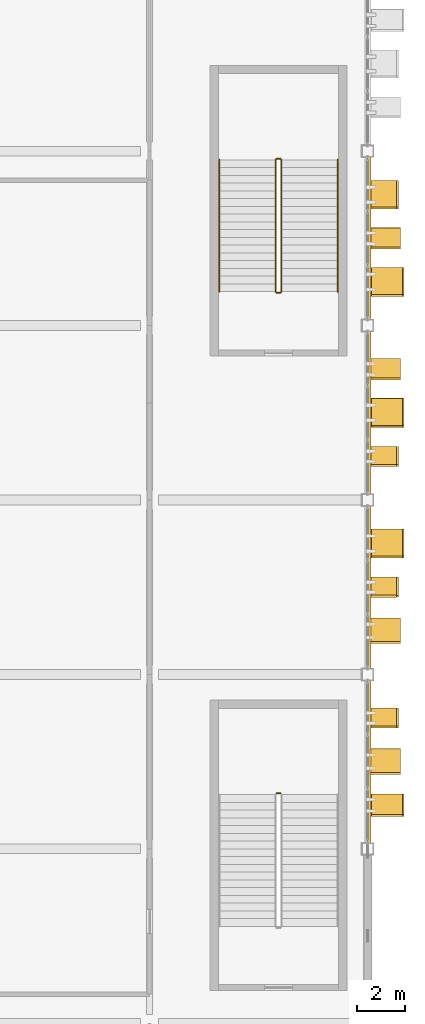
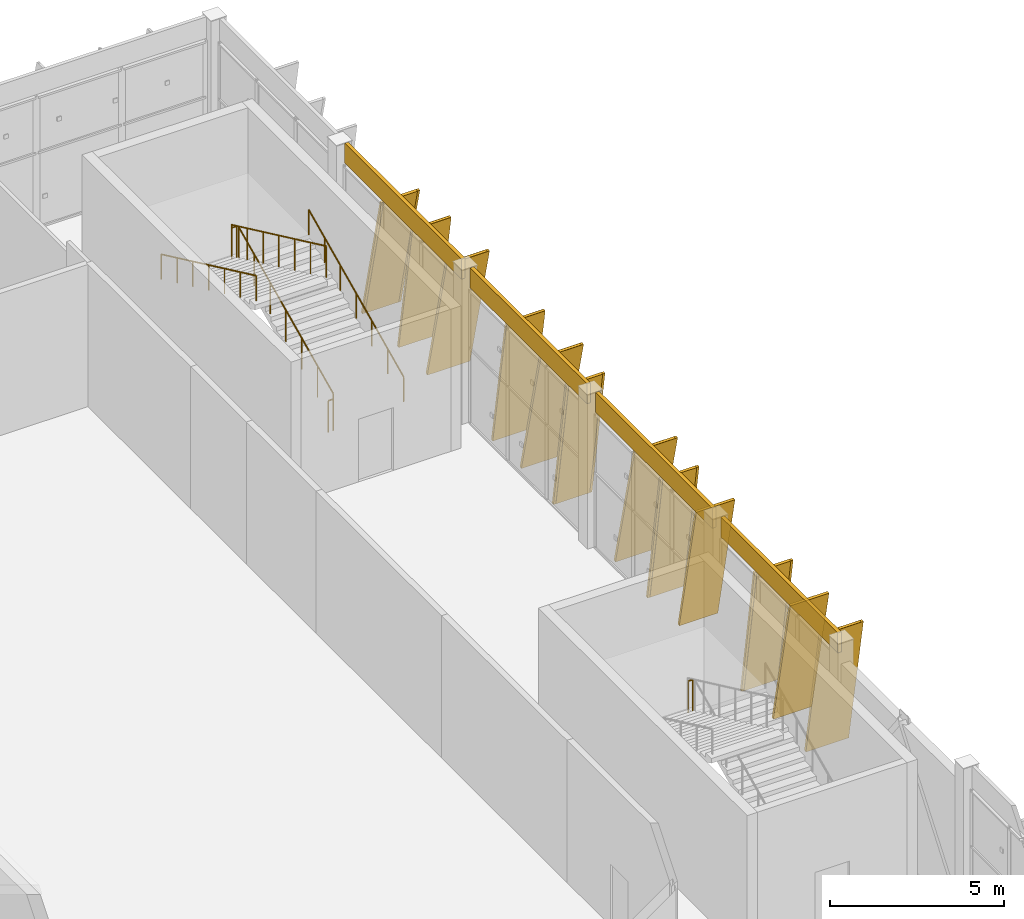
# One storey, part 188 of 189: 16 coverings, 12 shading devices, 7 railings.
"""IFC4 building model written with IfcOpenShell, lengths in metres."""

from ifc_helpers import new_model, si_unit, direction, frame, origin, origin_2d, place, context, subcontext, project, spatial, rectangle, circle, extrude, material, layer, layer_set, material_profile, profile_set, type_object, element, save


model = new_model("IFC4")

# Units and contexts
model_context = context("Model", 3, precision=1e-05, world=origin(), true_north=direction((0.0, 1.0)))
body_context = subcontext(model_context, "Body", "Model", "MODEL_VIEW")
ifc_project = project(units=[si_unit("LENGTHUNIT", "METRE"), si_unit("AREAUNIT", "SQUARE_METRE"), si_unit("VOLUMEUNIT", "CUBIC_METRE"), si_unit("PLANEANGLEUNIT", "RADIAN"), si_unit("MASSUNIT", "GRAM", prefix="KILO")], contexts=[model_context])

# Site, building, storey
site_placement = place(None, origin())
site = spatial("IfcSite", under=ifc_project, at=site_placement, CompositionType="ELEMENT")
building_placement = place(site_placement, origin())
building = spatial("IfcBuilding", under=site, at=building_placement, Name="Celestram Park Convention Centre", CompositionType="ELEMENT")
storey_placement = place(building_placement, frame((0.0, 0.0, 5.39990234375)))
storey = spatial("IfcBuildingStorey", under=building, at=storey_placement, Name="L01", CompositionType="ELEMENT", Elevation=5.39990234375)

# Coverings
ifc_material_1 = material(Name="Anodised Bronze Aluminium Spandrel Cladding", Category="aluminium")
ifc_layer_1 = layer(ifc_material_1, 0.050048828125)
ifc_layer_set_1 = layer_set([ifc_layer_1], Name="Anodised Bronze Aluminium Spandrel Cladding")
covering_type_1 = type_object("IfcCoveringType", Name="ARC-COV-CLD060", PredefinedType="CLADDING", material=ifc_layer_set_1)
for number, where, z_axis, x_axis, name in (
    (1, (216.080078125, 154.800048828125, 4.7001953125), (0.0, 0.0, 1.0), (0.0, -1.0, 0.0), "Bronze spandrel cladding CL-L01-076"),
    (2, (216.080078125, 147.60009765625, 4.7001953125), (0.0, 0.0, 1.0), (0.0, -1.0, 0.0), "Bronze spandrel cladding CL-L01-077"),
    (3, (216.080078125, 140.39990234375, 4.7001953125), (0.0, 0.0, 1.0), (0.0, -1.0, 0.0), "Bronze spandrel cladding CL-L01-078"),
    (4, (216.080078125, 133.199951171875, 4.7001953125), (0.0, 0.0, 1.0), (0.0, -1.0, 0.0), "Bronze spandrel cladding CL-L01-079"),
):
    element("IfcCovering", number, at=place(storey_placement, frame(where, z_axis=z_axis, x_axis=x_axis)), inside=storey, type_object=covering_type_1, Name=name, PredefinedType="CLADDING", context=body_context, shape_type="SweptSolid", body=[
        extrude(rectangle(XDim=6.7041015625, YDim=0.1201171875, at=origin_2d()), origin(), (0.0, 0.0, 1.0), 0.699951171875),
    ])
ifc_material_2 = material(Name="Timber-Toned Anodised Aluminium Alloy 6063-T6", Category="wood")
ifc_material_profile_1 = material_profile(ifc_material_2, rectangle(XDim=1.1201171875, YDim=0.090087890625, at=origin_2d()), Name="REED1120X90")
ifc_profile_set_1 = profile_set([ifc_material_profile_1], Name="Timber-Toned Anodised Aluminium Alloy 6063-T6")
covering_type_2 = type_object("IfcCoveringType", Name="ARC-COV-FIN1120", PredefinedType="CLADDING", material=ifc_profile_set_1)
covering_placement = place(storey_placement, frame((216.639892578125, 157.14111328125, 0.068603515625), z_axis=(0.0, -0.231745385191, 0.97277647815), x_axis=(1.0, 0.0, 0.0)))
element("IfcCovering", 5, at=covering_placement, inside=storey, type_object=covering_type_2, Name="Leaning timber-toned reed fin RFN-L01-0223", PredefinedType="CLADDING", context=body_context, shape_type="SweptSolid", body=[
    extrude(rectangle(XDim=1.1201171875, YDim=0.090087890625, at=origin_2d()), origin(), (0.0, 0.0, 1.0), 4.670166015625),
])
for number, where, z_axis, x_axis, name in (
    (6, (216.639892578125, 146.17333984375, 0.03515625), (0.0, -0.159870149635, 0.987138052785), (1.0, 0.0, 0.0), "Leaning timber-toned reed fin RFN-L01-0228"),
    (7, (216.639892578125, 140.773193359375, 0.03515625), (0.0, -0.159870149635, 0.987138052785), (1.0, 0.0, 0.0), "Leaning timber-toned reed fin RFN-L01-0230"),
    (8, (216.639892578125, 135.373291015625, 0.03515625), (0.0, -0.159870149635, 0.987138052785), (1.0, 0.0, 0.0), "Leaning timber-toned reed fin RFN-L01-0232"),
):
    element("IfcCovering", number, at=place(storey_placement, frame(where, z_axis=z_axis, x_axis=x_axis)), inside=storey, type_object=covering_type_2, Name=name, PredefinedType="CLADDING", context=body_context, shape_type="SweptSolid", body=[
        extrude(rectangle(XDim=1.1201171875, YDim=0.090087890625, at=origin_2d()), origin(), (0.0, 0.0, 1.0), 4.669921875),
    ])
ifc_material_profile_2 = material_profile(ifc_material_2, rectangle(XDim=1.280029296875, YDim=0.090087890625, at=origin_2d()), Name="REED1280X90")
ifc_profile_set_2 = profile_set([ifc_material_profile_2], Name="Timber-Toned Anodised Aluminium Alloy 6063-T6")
covering_type_3 = type_object("IfcCoveringType", Name="ARC-COV-FIN1280", PredefinedType="CLADDING", material=ifc_profile_set_2)
for number, where, z_axis, x_axis, name in (
    (9, (216.719970703125, 155.197509765625, 0.039306640625), (0.0, -0.17022027981, 0.985406036282), (1.0, 0.0, 0.0), "Leaning timber-toned reed fin RFN-L01-0224"),
    (10, (216.719970703125, 149.79736328125, 0.039306640625), (0.0, -0.170169514956, 0.98541480412), (1.0, 0.0, 0.0), "Leaning timber-toned reed fin RFN-L01-0226"),
):
    element("IfcCovering", number, at=place(storey_placement, frame(where, z_axis=z_axis, x_axis=x_axis)), inside=storey, type_object=covering_type_3, Name=name, PredefinedType="CLADDING", context=body_context, shape_type="SweptSolid", body=[
        extrude(rectangle(XDim=1.280029296875, YDim=0.090087890625, at=origin_2d()), origin(), (0.0, 0.0, 1.0), 4.669921875),
    ])
for number, where, z_axis, x_axis, name in (
    (11, (216.719970703125, 139.089599609375, 0.056884765625), (0.0, -0.20962905064, 0.977780988324), (1.0, 0.0, 0.0), "Leaning timber-toned reed fin RFN-L01-0231"),
    (12, (216.719970703125, 133.689453125, 0.056884765625), (0.0, -0.20962905064, 0.977780988324), (1.0, 0.0, 0.0), "Leaning timber-toned reed fin RFN-L01-0233"),
):
    element("IfcCovering", number, at=place(storey_placement, frame(where, z_axis=z_axis, x_axis=x_axis)), inside=storey, type_object=covering_type_3, Name=name, PredefinedType="CLADDING", context=body_context, shape_type="SweptSolid", body=[
        extrude(rectangle(XDim=1.280029296875, YDim=0.090087890625, at=origin_2d()), origin(), (0.0, 0.0, 1.0), 4.670166015625),
    ])
ifc_material_profile_3 = material_profile(ifc_material_2, rectangle(XDim=1.419921875, YDim=0.090087890625, at=origin_2d()), Name="REED1420X90")
ifc_profile_set_3 = profile_set([ifc_material_profile_3], Name="Timber-Toned Anodised Aluminium Alloy 6063-T6")
covering_type_4 = type_object("IfcCoveringType", Name="ARC-COV-FIN1420", PredefinedType="CLADDING", material=ifc_profile_set_3)
for number, where, z_axis, x_axis, name in (
    (13, (216.7900390625, 153.556884765625, 0.072509765625), (0.0, -0.238498785184, 0.97114279561), (1.0, 0.0, 0.0), "Leaning timber-toned reed fin RFN-L01-0225"),
    (14, (216.7900390625, 148.156982421875, 0.072509765625), (0.0, -0.238548089956, 0.971130685736), (1.0, 0.0, 0.0), "Leaning timber-toned reed fin RFN-L01-0227"),
    (15, (216.7900390625, 142.757080078125, 0.072509765625), (0.0, -0.238548089956, 0.971130685736), (1.0, 0.0, 0.0), "Leaning timber-toned reed fin RFN-L01-0229"),
    (16, (216.7900390625, 131.821533203125, 0.04345703125), (0.0, -0.180518378579, 0.983571611524), (1.0, 0.0, 0.0), "Leaning timber-toned reed fin RFN-L01-0234"),
):
    element("IfcCovering", number, at=place(storey_placement, frame(where, z_axis=z_axis, x_axis=x_axis)), inside=storey, type_object=covering_type_4, Name=name, PredefinedType="CLADDING", context=body_context, shape_type="SweptSolid", body=[
        extrude(rectangle(XDim=1.419921875, YDim=0.090087890625, at=origin_2d()), origin(), (0.0, 0.0, 1.0), 4.669921875),
    ])

# Shading devices
ifc_material_3 = material(Name="Anodised Bronze Aluminium Alloy 6063-T6", Category="aluminium")
ifc_material_profile_4 = material_profile(ifc_material_3, rectangle(XDim=1.280029296875, YDim=0.080078125, at=origin_2d()), Name="FIN1280X80")
ifc_profile_set_4 = profile_set([ifc_material_profile_4], Name="Anodised Bronze Aluminium Alloy 6063-T6")
shading_device_type = type_object("IfcShadingDeviceType", Name="ARC-FIN-BZ1280", PredefinedType="USERDEFINED", material=ifc_profile_set_4)
shading_device_1_placement = place(storey_placement, frame((216.639892578125, 157.14111328125, 0.068603515625), z_axis=(0.0, -0.231745385191, 0.97277647815), x_axis=(1.0, 0.0, 0.0)))
element("IfcShadingDevice", 17, at=shading_device_1_placement, inside=storey, type_object=shading_device_type, Name="Expressive solar fin FN-L01-0223", ObjectType="SOLAR_FIN", PredefinedType="USERDEFINED", context=body_context, shape_type="SweptSolid", body=[
    extrude(rectangle(XDim=1.280029296875, YDim=0.080078125, at=origin_2d()), origin(), (0.0, 0.0, 1.0), 4.670166015625),
])
for number, where, z_axis, x_axis, name in (
    (18, (216.719970703125, 155.197509765625, 0.039306640625), (0.0, -0.17022027981, 0.985406036282), (1.0, 0.0, 0.0), "Expressive solar fin FN-L01-0224"),
    (19, (216.7900390625, 153.556884765625, 0.072509765625), (0.0, -0.238498785184, 0.97114279561), (1.0, 0.0, 0.0), "Expressive solar fin FN-L01-0225"),
    (20, (216.719970703125, 149.79736328125, 0.039306640625), (0.0, -0.170169514956, 0.98541480412), (1.0, 0.0, 0.0), "Expressive solar fin FN-L01-0226"),
    (21, (216.7900390625, 148.156982421875, 0.072509765625), (0.0, -0.238548089956, 0.971130685736), (1.0, 0.0, 0.0), "Expressive solar fin FN-L01-0227"),
    (22, (216.639892578125, 146.17333984375, 0.03515625), (0.0, -0.159870149635, 0.987138052785), (1.0, 0.0, 0.0), "Expressive solar fin FN-L01-0228"),
    (23, (216.7900390625, 142.757080078125, 0.072509765625), (0.0, -0.238548089956, 0.971130685736), (1.0, 0.0, 0.0), "Expressive solar fin FN-L01-0229"),
    (24, (216.639892578125, 140.773193359375, 0.03515625), (0.0, -0.159870149635, 0.987138052785), (1.0, 0.0, 0.0), "Expressive solar fin FN-L01-0230"),
):
    element("IfcShadingDevice", number, at=place(storey_placement, frame(where, z_axis=z_axis, x_axis=x_axis)), inside=storey, type_object=shading_device_type, Name=name, ObjectType="SOLAR_FIN", PredefinedType="USERDEFINED", context=body_context, shape_type="SweptSolid", body=[
        extrude(rectangle(XDim=1.280029296875, YDim=0.080078125, at=origin_2d()), origin(), (0.0, 0.0, 1.0), 4.669921875),
    ])
shading_device_2_placement = place(storey_placement, frame((216.719970703125, 139.089599609375, 0.056884765625), z_axis=(0.0, -0.20962905064, 0.977780988324), x_axis=(1.0, 0.0, 0.0)))
element("IfcShadingDevice", 25, at=shading_device_2_placement, inside=storey, type_object=shading_device_type, Name="Expressive solar fin FN-L01-0231", ObjectType="SOLAR_FIN", PredefinedType="USERDEFINED", context=body_context, shape_type="SweptSolid", body=[
    extrude(rectangle(XDim=1.280029296875, YDim=0.080078125, at=origin_2d()), origin(), (0.0, 0.0, 1.0), 4.670166015625),
])
shading_device_3_placement = place(storey_placement, frame((216.639892578125, 135.373291015625, 0.03515625), z_axis=(0.0, -0.159870149635, 0.987138052785), x_axis=(1.0, 0.0, 0.0)))
element("IfcShadingDevice", 26, at=shading_device_3_placement, inside=storey, type_object=shading_device_type, Name="Expressive solar fin FN-L01-0232", ObjectType="SOLAR_FIN", PredefinedType="USERDEFINED", context=body_context, shape_type="SweptSolid", body=[
    extrude(rectangle(XDim=1.280029296875, YDim=0.080078125, at=origin_2d()), origin(), (0.0, 0.0, 1.0), 4.669921875),
])
shading_device_4_placement = place(storey_placement, frame((216.719970703125, 133.689453125, 0.056884765625), z_axis=(0.0, -0.20962905064, 0.977780988324), x_axis=(1.0, 0.0, 0.0)))
element("IfcShadingDevice", 27, at=shading_device_4_placement, inside=storey, type_object=shading_device_type, Name="Expressive solar fin FN-L01-0233", ObjectType="SOLAR_FIN", PredefinedType="USERDEFINED", context=body_context, shape_type="SweptSolid", body=[
    extrude(rectangle(XDim=1.280029296875, YDim=0.080078125, at=origin_2d()), origin(), (0.0, 0.0, 1.0), 4.670166015625),
])
shading_device_5_placement = place(storey_placement, frame((216.7900390625, 131.821533203125, 0.04345703125), z_axis=(0.0, -0.180518378579, 0.983571611524), x_axis=(1.0, 0.0, 0.0)))
element("IfcShadingDevice", 28, at=shading_device_5_placement, inside=storey, type_object=shading_device_type, Name="Expressive solar fin FN-L01-0234", ObjectType="SOLAR_FIN", PredefinedType="USERDEFINED", context=body_context, shape_type="SweptSolid", body=[
    extrude(rectangle(XDim=1.280029296875, YDim=0.080078125, at=origin_2d()), origin(), (0.0, 0.0, 1.0), 4.669921875),
])

# Railings
ifc_material_4 = material(Name="Stainless Steel AISI 316L & Laminated Glass", Category="steel")
ifc_layer_2 = layer(ifc_material_4, 0.06005859375)
ifc_layer_set_2 = layer_set([ifc_layer_2], Name="Stainless Steel AISI 316L & Laminated Glass")
railing_type_1 = type_object("IfcRailingType", Name="ARC-RL-GRD1120", PredefinedType="GUARDRAIL", material=ifc_layer_set_2)
railing_1_placement = place(storey_placement, frame((212.43603515625, 152.60009765625, 0.150146484375)))
element("IfcRailing", 29, at=railing_1_placement, inside=storey, type_object=railing_type_1, Name="L01 ST-07 stair guard 1", PredefinedType="GUARDRAIL", context=body_context, shape_type="SweptSolid", body=[
    extrude(circle(Radius=0.02392578125, at=origin_2d()), frame((0.0, 0.0, 1.09619140625), z_axis=(0.0, 0.90545405566, 0.424444287379), x_axis=(-1.0, 0.0, 0.0)), (0.0, 0.0, 1.0), 6.008056640625),
    extrude(circle(Radius=0.02099609375, at=origin_2d()), origin(), (0.0, 0.0, 1.0), 1.072021484375),
    extrude(circle(Radius=0.02099609375, at=origin_2d()), frame((0.0, 0.90673828125, 0.425048828125)), (0.0, 0.0, 1.0), 1.072021484375),
    extrude(circle(Radius=0.02099609375, at=origin_2d()), frame((0.0, 1.813232421875, 0.85009765625)), (0.0, 0.0, 1.0), 1.072021484375),
    extrude(circle(Radius=0.02099609375, at=origin_2d()), frame((0.0, 2.719970703125, 1.27490234375)), (0.0, 0.0, 1.0), 1.072021484375),
    extrude(circle(Radius=0.02099609375, at=origin_2d()), frame((0.0, 3.626708984375, 1.699951171875)), (0.0, 0.0, 1.0), 1.072021484375),
    extrude(circle(Radius=0.02099609375, at=origin_2d()), frame((0.0, 4.533203125, 2.125)), (0.0, 0.0, 1.0), 1.072021484375),
    extrude(circle(Radius=0.02099609375, at=origin_2d()), frame((0.0, 5.43994140625, 2.550048828125)), (0.0, 0.0, 1.0), 1.072021484375),
])
railing_2_placement = place(storey_placement, frame((212.39990234375, 158.090087890625, 2.7001953125)))
element("IfcRailing", 30, at=railing_2_placement, inside=storey, type_object=railing_type_1, Name="L01 ST-07 stair guard 2", PredefinedType="GUARDRAIL", context=body_context, shape_type="SweptSolid", body=[
    extrude(circle(Radius=0.02392578125, at=origin_2d()), frame((0.0, 0.0, 1.09619140625), z_axis=(-1.0, 0.0, 0.0), x_axis=(0.0, -1.0, 0.0)), (0.0, 0.0, 1.0), 0.159912109375),
    extrude(circle(Radius=0.02099609375, at=origin_2d()), origin(), (0.0, 0.0, 1.0), 1.072021484375),
    extrude(circle(Radius=0.02099609375, at=origin_2d()), frame((-0.159912109375, 0.0, 0.0)), (0.0, 0.0, 1.0), 1.072021484375),
])
railing_3_placement = place(storey_placement, frame((212.2041015625, 158.0400390625, 2.85009765625)))
element("IfcRailing", 31, at=railing_3_placement, inside=storey, type_object=railing_type_1, Name="L01 ST-07 stair guard 3", PredefinedType="GUARDRAIL", context=body_context, shape_type="SweptSolid", body=[
    extrude(circle(Radius=0.02392578125, at=origin_2d()), frame((0.0, 0.0, 1.09619140625), z_axis=(0.0, -0.90545405566, 0.424444287379), x_axis=(1.0, 0.0, 0.0)), (0.0, 0.0, 1.0), 6.008056640625),
    extrude(circle(Radius=0.02099609375, at=origin_2d()), origin(), (0.0, 0.0, 1.0), 1.072021484375),
    extrude(circle(Radius=0.02099609375, at=origin_2d()), frame((0.0, -0.90673828125, 0.425048828125)), (0.0, 0.0, 1.0), 1.072021484375),
    extrude(circle(Radius=0.02099609375, at=origin_2d()), frame((0.0, -1.813232421875, 0.85009765625)), (0.0, 0.0, 1.0), 1.072021484375),
    extrude(circle(Radius=0.02099609375, at=origin_2d()), frame((0.0, -2.719970703125, 1.27490234375)), (0.0, 0.0, 1.0), 1.072021484375),
    extrude(circle(Radius=0.02099609375, at=origin_2d()), frame((0.0, -3.626708984375, 1.699951171875)), (0.0, 0.0, 1.0), 1.072021484375),
    extrude(circle(Radius=0.02099609375, at=origin_2d()), frame((0.0, -4.533203125, 2.125)), (0.0, 0.0, 1.0), 1.072021484375),
    extrude(circle(Radius=0.02099609375, at=origin_2d()), frame((0.0, -5.43994140625, 2.550048828125)), (0.0, 0.0, 1.0), 1.072021484375),
])
for number, where, name in (
    (32, (212.39990234375, 152.550048828125, 0.0), "L01 ST-07 stair guard 4"),
    (33, (212.39990234375, 131.889892578125, 2.7001953125), "L01 ST-08 stair guard 2"),
):
    element("IfcRailing", number, at=place(storey_placement, frame(where)), inside=storey, type_object=railing_type_1, Name=name, PredefinedType="GUARDRAIL", context=body_context, shape_type="SweptSolid", body=[
        extrude(circle(Radius=0.02392578125, at=origin_2d()), frame((0.0, 0.0, 1.09619140625), z_axis=(-1.0, 0.0, 0.0), x_axis=(0.0, -1.0, 0.0)), (0.0, 0.0, 1.0), 0.159912109375),
        extrude(circle(Radius=0.02099609375, at=origin_2d()), origin(), (0.0, 0.0, 1.0), 1.072021484375),
        extrude(circle(Radius=0.02099609375, at=origin_2d()), frame((-0.159912109375, 0.0, 0.0)), (0.0, 0.0, 1.0), 1.072021484375),
    ])
ifc_material_5 = material(Name="Brushed Stainless Steel AISI 304", Category="steel")
ifc_layer_3 = layer(ifc_material_5, 0.048095703125)
ifc_layer_set_3 = layer_set([ifc_layer_3], Name="Brushed Stainless Steel AISI 304")
railing_type_2 = type_object("IfcRailingType", Name="ARC-RL-HND915", PredefinedType="HANDRAIL", material=ifc_layer_set_3)
railing_4_placement = place(storey_placement, frame((214.763916015625, 152.60009765625, 0.150146484375)))
element("IfcRailing", 34, at=railing_4_placement, inside=storey, type_object=railing_type_2, Name="L01 ST-07 stair handrail 1", PredefinedType="HANDRAIL", context=body_context, shape_type="SweptSolid", body=[
    extrude(circle(Radius=0.02392578125, at=origin_2d()), frame((0.0, 0.0, 0.8759765625), z_axis=(0.0, 0.90545405566, 0.424444287379), x_axis=(-1.0, 0.0, 0.0)), (0.0, 0.0, 1.0), 6.008056640625),
    extrude(circle(Radius=0.02099609375, at=origin_2d()), origin(), (0.0, 0.0, 1.0), 0.851806640625),
    extrude(circle(Radius=0.02099609375, at=origin_2d()), frame((0.0, 0.90673828125, 0.425048828125)), (0.0, 0.0, 1.0), 0.851806640625),
    extrude(circle(Radius=0.02099609375, at=origin_2d()), frame((0.0, 1.813232421875, 0.85009765625)), (0.0, 0.0, 1.0), 0.851806640625),
    extrude(circle(Radius=0.02099609375, at=origin_2d()), frame((0.0, 2.719970703125, 1.27490234375)), (0.0, 0.0, 1.0), 0.851806640625),
    extrude(circle(Radius=0.02099609375, at=origin_2d()), frame((0.0, 3.626708984375, 1.699951171875)), (0.0, 0.0, 1.0), 0.851806640625),
    extrude(circle(Radius=0.02099609375, at=origin_2d()), frame((0.0, 4.533203125, 2.125)), (0.0, 0.0, 1.0), 0.851806640625),
    extrude(circle(Radius=0.02099609375, at=origin_2d()), frame((0.0, 5.43994140625, 2.550048828125)), (0.0, 0.0, 1.0), 0.851806640625),
])
railing_5_placement = place(storey_placement, frame((209.8759765625, 158.0400390625, 2.85009765625)))
element("IfcRailing", 35, at=railing_5_placement, inside=storey, type_object=railing_type_2, Name="L01 ST-07 stair handrail 2", PredefinedType="HANDRAIL", context=body_context, shape_type="SweptSolid", body=[
    extrude(circle(Radius=0.02392578125, at=origin_2d()), frame((0.0, 0.0, 0.8759765625), z_axis=(0.0, -0.90545405566, 0.424444287379), x_axis=(1.0, 0.0, 0.0)), (0.0, 0.0, 1.0), 6.008056640625),
    extrude(circle(Radius=0.02099609375, at=origin_2d()), origin(), (0.0, 0.0, 1.0), 0.851806640625),
    extrude(circle(Radius=0.02099609375, at=origin_2d()), frame((0.0, -0.90673828125, 0.425048828125)), (0.0, 0.0, 1.0), 0.851806640625),
    extrude(circle(Radius=0.02099609375, at=origin_2d()), frame((0.0, -1.813232421875, 0.85009765625)), (0.0, 0.0, 1.0), 0.851806640625),
    extrude(circle(Radius=0.02099609375, at=origin_2d()), frame((0.0, -2.719970703125, 1.27490234375)), (0.0, 0.0, 1.0), 0.851806640625),
    extrude(circle(Radius=0.02099609375, at=origin_2d()), frame((0.0, -3.626708984375, 1.699951171875)), (0.0, 0.0, 1.0), 0.851806640625),
    extrude(circle(Radius=0.02099609375, at=origin_2d()), frame((0.0, -4.533203125, 2.125)), (0.0, 0.0, 1.0), 0.851806640625),
    extrude(circle(Radius=0.02099609375, at=origin_2d()), frame((0.0, -5.43994140625, 2.550048828125)), (0.0, 0.0, 1.0), 0.851806640625),
])

save(model, "model.ifc")
